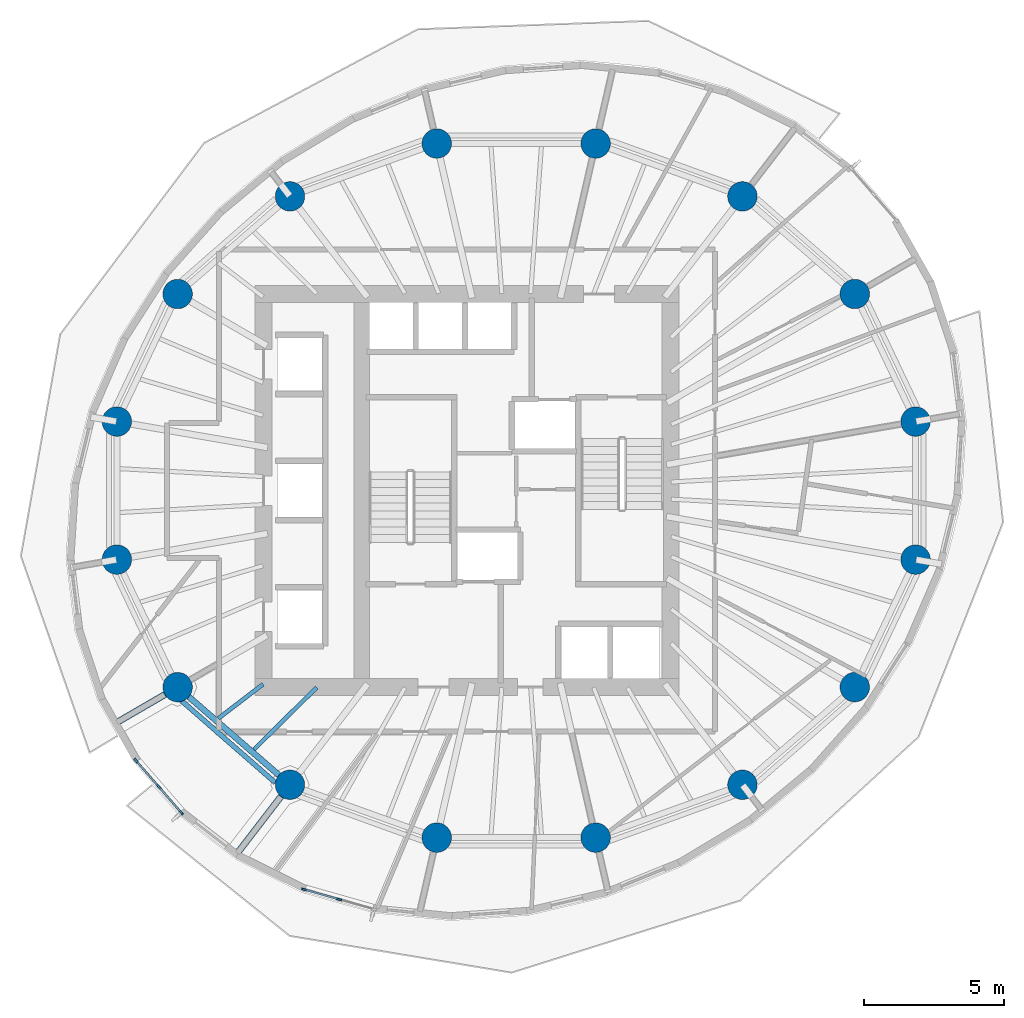
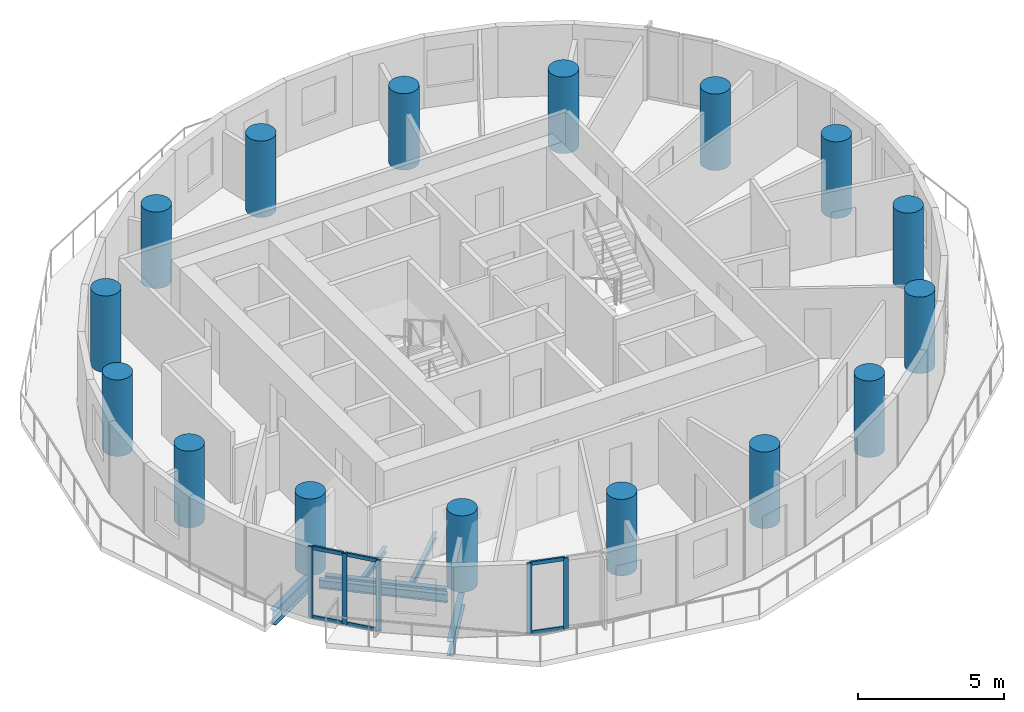
# One storey, part 1 of 12: 16 columns, 11 members, 6 beams, 2 elements without a shape of their own.
"""IFC4 building model written with IfcOpenShell, lengths in metres."""

from ifc_helpers import new_model, si_unit, direction, frame, origin, origin_2d, place, context, subcontext, project, spatial, rectangle, circle, i_section, extrude, material, material_profile, profile_set, type_object, element, aggregate, save


model = new_model("IFC4")

# Units and contexts
model_context = context("Model", 3, precision=1e-05, world=origin(), true_north=direction((0.0, 1.0)))
body_context = subcontext(model_context, "Body", "Model", "MODEL_VIEW")
ifc_project = project(units=[si_unit("LENGTHUNIT", "METRE"), si_unit("AREAUNIT", "SQUARE_METRE"), si_unit("VOLUMEUNIT", "CUBIC_METRE"), si_unit("PLANEANGLEUNIT", "RADIAN"), si_unit("MASSUNIT", "GRAM", prefix="KILO")], contexts=[model_context])

# Site, building, storey
site_placement = place(None, origin())
site = spatial("IfcSite", under=ifc_project, at=site_placement, CompositionType="ELEMENT")
building_placement = place(site_placement, origin())
building = spatial("IfcBuilding", under=site, at=building_placement, Name="Veldorim Arch Residences", CompositionType="ELEMENT")
storey_placement = place(building_placement, frame((0.0, 0.0, 145.760009765625)))
storey = spatial("IfcBuildingStorey", under=building, at=storey_placement, Name="L43", CompositionType="ELEMENT", Elevation=145.760009765625)

# Columns
ifc_material_1 = material(Name="Concrete C50/60", Category="concrete")
ifc_material_profile_1 = material_profile(ifc_material_1, circle(Radius=0.52490234375, at=origin_2d()), Name="RC_CIRC_1050")
ifc_profile_set_1 = profile_set([ifc_material_profile_1], Name="Concrete C50/60")
column_type = type_object("IfcColumnType", Name="Structural Column RC_CIRC_1050", PredefinedType="COLUMN", material=ifc_profile_set_1)
for number, where, z_axis, x_axis, name in (
    (1, (46.221435546875, 26.4580078125, 0.0), (0.0, 0.0, 1.0), (1.0, 0.0, 0.0), "L43 TC-Z3-01 perimeter column"),
    (2, (44.056396484375, 31.000244140625, 0.0), (0.0, 0.0, 1.0), (1.0, 0.0, 0.0), "L43 TC-Z3-02 perimeter column"),
    (3, (40.055908203125, 34.4765625, 0.0), (0.0, 0.0, 1.0), (1.0, 0.0, 0.0), "L43 TC-Z3-03 perimeter column"),
    (4, (34.828857421875, 36.35791015625, 0.0), (0.0, 0.0, 1.0), (1.0, 0.0, 0.0), "L43 TC-Z3-04 perimeter column"),
    (5, (29.171142578125, 36.35791015625, 0.0), (0.0, 0.0, 1.0), (1.0, 0.0, 0.0), "L43 TC-Z3-05 perimeter column"),
    (6, (23.944091796875, 34.4765625, 0.0), (0.0, 0.0, 1.0), (1.0, 0.0, 0.0), "L43 TC-Z3-06 perimeter column"),
    (7, (19.943603515625, 31.000244140625, 0.0), (0.0, 0.0, 1.0), (1.0, 0.0, 0.0), "L43 TC-Z3-07 perimeter column"),
    (8, (17.778564453125, 26.4580078125, 0.0), (0.0, 0.0, 1.0), (1.0, 0.0, 0.0), "L43 TC-Z3-08 perimeter column"),
    (9, (17.778564453125, 21.5419921875, 0.0), (0.0, 0.0, 1.0), (1.0, 0.0, 0.0), "L43 TC-Z3-09 perimeter column"),
    (10, (19.943603515625, 16.999755859375, 0.0), (0.0, 0.0, 1.0), (1.0, 0.0, 0.0), "L43 TC-Z3-10 perimeter column"),
    (11, (23.944091796875, 13.5234375, 0.0), (0.0, 0.0, 1.0), (1.0, 0.0, 0.0), "L43 TC-Z3-11 perimeter column"),
    (12, (29.171142578125, 11.64208984375, 0.0), (0.0, 0.0, 1.0), (1.0, 0.0, 0.0), "L43 TC-Z3-12 perimeter column"),
    (13, (34.828857421875, 11.64208984375, 0.0), (0.0, 0.0, 1.0), (1.0, 0.0, 0.0), "L43 TC-Z3-13 perimeter column"),
    (14, (40.055908203125, 13.5234375, 0.0), (0.0, 0.0, 1.0), (1.0, 0.0, 0.0), "L43 TC-Z3-14 perimeter column"),
    (15, (44.056396484375, 16.999755859375, 0.0), (0.0, 0.0, 1.0), (1.0, 0.0, 0.0), "L43 TC-Z3-15 perimeter column"),
    (16, (46.221435546875, 21.5419921875, 0.0), (0.0, 0.0, 1.0), (1.0, 0.0, 0.0), "L43 TC-Z3-16 perimeter column"),
):
    element("IfcColumn", number, at=place(storey_placement, frame(where, z_axis=z_axis, x_axis=x_axis)), inside=storey, type_object=column_type, Name=name, PredefinedType="COLUMN", context=body_context, shape_type="SweptSolid", body=[
        extrude(circle(Radius=0.52490234375, at=origin_2d()), origin(), (0.0, 0.0, 1.0), 3.199951171875),
    ])

# Beams
ifc_material_2 = material(Name="Steel S355", Category="steel")
ifc_material_profile_2 = material_profile(ifc_material_2, i_section(OverallWidth=0.2099609375, OverallDepth=0.53662109375, WebThickness=0.0107421875, FlangeThickness=0.017333984375, at=origin_2d()), Name="UB533x210x101")
ifc_profile_set_2 = profile_set([ifc_material_profile_2], Name="Steel S355")
beam_type_1 = type_object("IfcBeamType", Name="Structural Steel Beam UB533x210x101", PredefinedType="BEAM", material=ifc_profile_set_2)
beam_1_placement = place(storey_placement, frame((20.340087890625, 16.655517578125, -0.50830078125), z_axis=(0.754810789581, -0.655942582802, 0.0), x_axis=(0.655942582802, 0.754810789581, 0.0)))
element("IfcBeam", 17, at=beam_1_placement, inside=storey, type_object=beam_type_1, Name="L43 perimeter ring tie beam 10", PredefinedType="BEAM", context=body_context, shape_type="SweptSolid", body=[
    extrude(i_section(OverallWidth=0.2099609375, OverallDepth=0.53662109375, WebThickness=0.0107421875, FlangeThickness=0.017333984375, at=origin_2d()), origin(), (0.0, 0.0, 1.0), 4.249755859375),
])
ifc_material_3 = material(Name="Steel S355", Category="steel")
ifc_material_profile_3 = material_profile(ifc_material_3, i_section(OverallWidth=0.22900390625, OverallDepth=0.6123046875, WebThickness=0.011962890625, FlangeThickness=0.01953125, at=origin_2d()), Name="UB610x229x125")
ifc_profile_set_3 = profile_set([ifc_material_profile_3], Name="Steel S355")
beam_type_2 = type_object("IfcBeamType", Name="Structural Steel Beam UB610x229x125", PredefinedType="BEAM", material=ifc_profile_set_3)
beam_2_placement = place(storey_placement, frame((19.926513671875, 16.98974609375, -0.546142578125), z_axis=(-0.864771551205, -0.502165474946, 0.0), x_axis=(0.502165474946, -0.864771551205, 0.0)))
element("IfcBeam", 18, at=beam_2_placement, inside=storey, type_object=beam_type_2, Name="L43 radial edge cantilever girder 10", PredefinedType="BEAM", context=body_context, shape_type="SweptSolid", body=[
    extrude(i_section(OverallWidth=0.22900390625, OverallDepth=0.6123046875, WebThickness=0.011962890625, FlangeThickness=0.01953125, at=origin_2d()), origin(), (0.0, 0.0, 1.0), 2.555908203125),
])
beam_3_placement = place(storey_placement, frame((23.931884765625, 13.507568359375, -0.546142578125), z_axis=(-0.60954833207, -0.792748907833, 0.0), x_axis=(0.792748907833, -0.60954833207, 0.0)))
element("IfcBeam", 19, at=beam_3_placement, inside=storey, type_object=beam_type_2, Name="L43 radial edge cantilever girder 11", PredefinedType="BEAM", context=body_context, shape_type="SweptSolid", body=[
    extrude(i_section(OverallWidth=0.22900390625, OverallDepth=0.6123046875, WebThickness=0.011962890625, FlangeThickness=0.01953125, at=origin_2d()), origin(), (0.0, 0.0, 1.0), 3.123779296875),
])
ifc_material_4 = material(Name="Steel S355", Category="steel")
ifc_material_profile_4 = material_profile(ifc_material_4, i_section(OverallWidth=0.146484375, OverallDepth=0.256103515625, WebThickness=0.00634765625, FlangeThickness=0.010986328125, at=origin_2d()), Name="UB254x146x37")
ifc_profile_set_4 = profile_set([ifc_material_profile_4], Name="Steel S355")
beam_type_3 = type_object("IfcBeamType", Name="Structural Steel Joist UB254x146x37", PredefinedType="JOIST", material=ifc_profile_set_4)
beam_4_placement = place(storey_placement, frame((22.984130859375, 17.10302734375, -0.367919921875), z_axis=(-0.794312925337, -0.607508828448, 0.0), x_axis=(0.607508828448, -0.794312925337, 0.0)))
element("IfcBeam", 20, at=beam_4_placement, inside=storey, type_object=beam_type_3, Name="L43 secondary radial floor joist 10-1", PredefinedType="JOIST", context=body_context, shape_type="SweptSolid", body=[
    extrude(i_section(OverallWidth=0.146484375, OverallDepth=0.256103515625, WebThickness=0.00634765625, FlangeThickness=0.010986328125, at=origin_2d()), origin(), (0.0, 0.0, 1.0), 2.006103515625),
])
beam_5_placement = place(storey_placement, frame((24.894287109375, 16.986083984375, -0.367919921875), z_axis=(-0.711683379532, -0.702500368183, 0.0), x_axis=(0.702500368183, -0.711683379532, 0.0)))
element("IfcBeam", 21, at=beam_5_placement, inside=storey, type_object=beam_type_3, Name="L43 secondary radial floor joist 10-2", PredefinedType="JOIST", context=body_context, shape_type="SweptSolid", body=[
    extrude(i_section(OverallWidth=0.146484375, OverallDepth=0.256103515625, WebThickness=0.00634765625, FlangeThickness=0.010986328125, at=origin_2d()), origin(), (0.0, 0.0, 1.0), 3.13720703125),
])
ifc_material_5 = material(Name="Steel S355", Category="steel")
ifc_material_profile_5 = material_profile(ifc_material_5, i_section(OverallWidth=0.172119140625, OverallDepth=0.35791015625, WebThickness=0.008056640625, FlangeThickness=0.012939453125, at=origin_2d()), Name="UB356x171x57")
ifc_profile_set_5 = profile_set([ifc_material_profile_5], Name="Steel S355")
beam_type_4 = type_object("IfcBeamType", Name="Structural Steel Spandrel UB356x171x57", PredefinedType="SPANDREL", material=ifc_profile_set_5)
beam_6_placement = place(storey_placement, frame((20.0419921875, 16.55078125, -0.43896484375), z_axis=(0.753014748982, -0.658003638148, 0.0), x_axis=(0.658003638148, 0.753014748982, 0.0)))
element("IfcBeam", 22, at=beam_6_placement, inside=storey, type_object=beam_type_4, Name="L43 perimeter chord spandrel beam 10", PredefinedType="SPANDREL", context=body_context, shape_type="SweptSolid", body=[
    extrude(i_section(OverallWidth=0.172119140625, OverallDepth=0.35791015625, WebThickness=0.008056640625, FlangeThickness=0.012939453125, at=origin_2d()), origin(), (0.0, 0.0, 1.0), 4.486572265625),
])

# Curtain wall, members
ifc_material_6 = material(Name="Aluminium", Category="aluminium")
curtain_wall_type = type_object("IfcCurtainWallType", Name="Zone 3 High-Wind Unitised Curtain Wall", PredefinedType="NOTDEFINED", material=ifc_material_6)
curtain_wall_1_placement = place(storey_placement, origin())
curtain_wall_1 = element("IfcCurtainWall", 23, at=curtain_wall_1_placement, inside=storey, type_object=curtain_wall_type, Name="L43 unitised curtain wall bay 19", PredefinedType="NOTDEFINED")
ifc_material_7 = material(Name="Aluminium", Category="aluminium")
ifc_material_profile_6 = material_profile(ifc_material_7, rectangle(XDim=0.070068359375, YDim=0.179931640625, at=origin_2d()), Name="ALU_MUL_70x180")
ifc_profile_set_6 = profile_set([ifc_material_profile_6], Name="Aluminium")
member_type_1 = type_object("IfcMemberType", Name="Zone 3 High-Wind Unitised Curtain Wall Mullion 70x180", PredefinedType="MULLION", material=ifc_profile_set_6)
member_1_placement = place(storey_placement, frame((20.075439453125, 12.5283203125, 0.0), z_axis=(0.0, 0.0, 1.0), x_axis=(-0.754399890607, -0.65641511641, 0.0)))
member_1 = element("IfcMember", 24, at=member_1_placement, type_object=member_type_1, Name="CW-Z3 mullion 1", PredefinedType="MULLION", context=body_context, shape_type="SweptSolid", body=[
    extrude(rectangle(XDim=0.070068359375, YDim=0.179931640625, at=origin_2d()), origin(), (0.0, 0.0, 1.0), 2.9599609375),
])
member_2_placement = place(storey_placement, frame((19.2666015625, 13.457763671875, 0.0), z_axis=(0.0, 0.0, 1.0), x_axis=(-0.754399890607, -0.65641511641, 0.0)))
member_2 = element("IfcMember", 25, at=member_2_placement, type_object=member_type_1, Name="CW-Z3 mullion 2", PredefinedType="MULLION", context=body_context, shape_type="SweptSolid", body=[
    extrude(rectangle(XDim=0.070068359375, YDim=0.179931640625, at=origin_2d()), origin(), (0.0, 0.0, 1.0), 2.9599609375),
])
member_3_placement = place(storey_placement, frame((18.4580078125, 14.38720703125, 0.0), z_axis=(0.0, 0.0, 1.0), x_axis=(-0.754399890607, -0.65641511641, 0.0)))
member_3 = element("IfcMember", 26, at=member_3_placement, type_object=member_type_1, Name="CW-Z3 mullion 3", PredefinedType="MULLION", context=body_context, shape_type="SweptSolid", body=[
    extrude(rectangle(XDim=0.070068359375, YDim=0.179931640625, at=origin_2d()), origin(), (0.0, 0.0, 1.0), 2.9599609375),
])

curtain_wall_2_placement = place(storey_placement, origin())
curtain_wall_2 = element("IfcCurtainWall", 27, at=curtain_wall_2_placement, inside=storey, type_object=curtain_wall_type, Name="L43 unitised curtain wall bay 22", PredefinedType="NOTDEFINED")
member_4_placement = place(storey_placement, frame((25.691650390625, 9.442626953125, 0.0), z_axis=(0.0, 0.0, 1.0), x_axis=(-0.273550022991, -0.961857777908, 0.0)))
member_4 = element("IfcMember", 28, at=member_4_placement, type_object=member_type_1, Name="CW-Z3 mullion 2", PredefinedType="MULLION", context=body_context, shape_type="SweptSolid", body=[
    extrude(rectangle(XDim=0.070068359375, YDim=0.179931640625, at=origin_2d()), origin(), (0.0, 0.0, 1.0), 2.9599609375),
])
member_5_placement = place(storey_placement, frame((24.445068359375, 9.797119140625, 0.0), z_axis=(0.0, 0.0, 1.0), x_axis=(-0.273550022991, -0.961857777908, 0.0)))
member_5 = element("IfcMember", 29, at=member_5_placement, type_object=member_type_1, Name="CW-Z3 mullion 3", PredefinedType="MULLION", context=body_context, shape_type="SweptSolid", body=[
    extrude(rectangle(XDim=0.070068359375, YDim=0.179931640625, at=origin_2d()), origin(), (0.0, 0.0, 1.0), 2.9599609375),
])

# Member
ifc_material_8 = material(Name="Aluminium", Category="aluminium")
ifc_material_profile_7 = material_profile(ifc_material_8, rectangle(XDim=0.070068359375, YDim=0.155029296875, at=origin_2d()), Name="ALU_TRN_70x155")
ifc_profile_set_7 = profile_set([ifc_material_profile_7], Name="Aluminium")
member_type_2 = type_object("IfcMemberType", Name="Zone 3 High-Wind Unitised Curtain Wall Transom 70x155", PredefinedType="USERDEFINED", material=ifc_profile_set_7)
member_6_placement = place(storey_placement, frame((20.052490234375, 12.5546875, 0.034912109375), z_axis=(-0.656345148791, 0.754460764824, 0.0), x_axis=(-0.754460764824, -0.656345148791, 0.0)))
member_6 = element("IfcMember", 30, at=member_6_placement, type_object=member_type_2, Name="CW-Z3 transom 1.1", ObjectType="TRANSOM", PredefinedType="USERDEFINED", context=body_context, shape_type="SweptSolid", body=[
    extrude(rectangle(XDim=0.070068359375, YDim=0.155029296875, at=origin_2d()), origin(), (0.0, 0.0, 1.0), 1.162109375),
])

member_7_placement = place(storey_placement, frame((20.052490234375, 12.5546875, 2.925048828125), z_axis=(-0.656345148791, 0.754460764824, 0.0), x_axis=(-0.754460764824, -0.656345148791, 0.0)))
member_7 = element("IfcMember", 31, at=member_7_placement, type_object=member_type_2, Name="CW-Z3 transom 1.2", ObjectType="TRANSOM", PredefinedType="USERDEFINED", context=body_context, shape_type="SweptSolid", body=[
    extrude(rectangle(XDim=0.070068359375, YDim=0.155029296875, at=origin_2d()), origin(), (0.0, 0.0, 1.0), 1.162109375),
])

member_8_placement = place(storey_placement, frame((19.24365234375, 13.484130859375, 0.034912109375), z_axis=(-0.656345148791, 0.754460764824, 0.0), x_axis=(-0.754460764824, -0.656345148791, 0.0)))
member_8 = element("IfcMember", 32, at=member_8_placement, type_object=member_type_2, Name="CW-Z3 transom 2.1", ObjectType="TRANSOM", PredefinedType="USERDEFINED", context=body_context, shape_type="SweptSolid", body=[
    extrude(rectangle(XDim=0.070068359375, YDim=0.155029296875, at=origin_2d()), origin(), (0.0, 0.0, 1.0), 1.162109375),
])

member_9_placement = place(storey_placement, frame((19.24365234375, 13.484130859375, 2.925048828125), z_axis=(-0.656345148791, 0.754460764824, 0.0), x_axis=(-0.754460764824, -0.656345148791, 0.0)))
member_9 = element("IfcMember", 33, at=member_9_placement, type_object=member_type_2, Name="CW-Z3 transom 2.2", ObjectType="TRANSOM", PredefinedType="USERDEFINED", context=body_context, shape_type="SweptSolid", body=[
    extrude(rectangle(XDim=0.070068359375, YDim=0.155029296875, at=origin_2d()), origin(), (0.0, 0.0, 1.0), 1.162109375),
])

aggregate(curtain_wall_1, [member_1, member_2, member_3, member_6, member_7, member_8, member_9])

member_10_placement = place(storey_placement, frame((25.657958984375, 9.452392578125, 0.034912109375), z_axis=(-0.961891322265, 0.273432046681, 0.0), x_axis=(-0.273432046681, -0.961891322265, 0.0)))
member_10 = element("IfcMember", 34, at=member_10_placement, type_object=member_type_2, Name="CW-Z3 transom 2.1", ObjectType="TRANSOM", PredefinedType="USERDEFINED", context=body_context, shape_type="SweptSolid", body=[
    extrude(rectangle(XDim=0.070068359375, YDim=0.155029296875, at=origin_2d()), origin(), (0.0, 0.0, 1.0), 1.225830078125),
])

member_11_placement = place(storey_placement, frame((25.657958984375, 9.452392578125, 2.925048828125), z_axis=(-0.961891322265, 0.273432046681, 0.0), x_axis=(-0.273432046681, -0.961891322265, 0.0)))
member_11 = element("IfcMember", 35, at=member_11_placement, type_object=member_type_2, Name="CW-Z3 transom 2.2", ObjectType="TRANSOM", PredefinedType="USERDEFINED", context=body_context, shape_type="SweptSolid", body=[
    extrude(rectangle(XDim=0.070068359375, YDim=0.155029296875, at=origin_2d()), origin(), (0.0, 0.0, 1.0), 1.225830078125),
])

aggregate(curtain_wall_2, [member_4, member_5, member_10, member_11])

save(model, "model.ifc")
